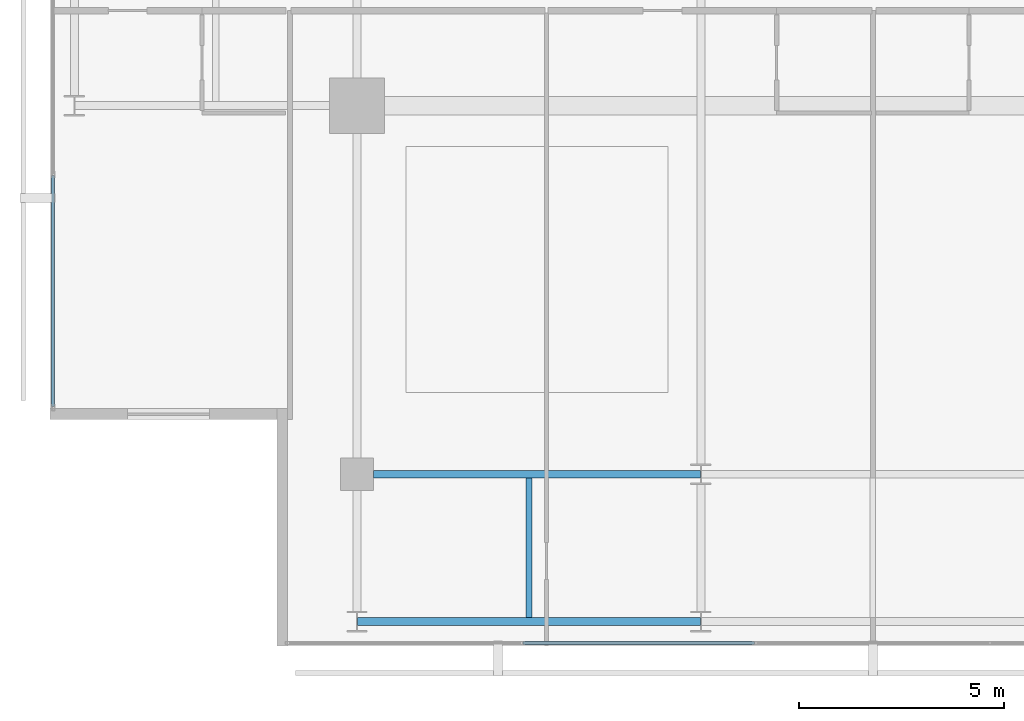
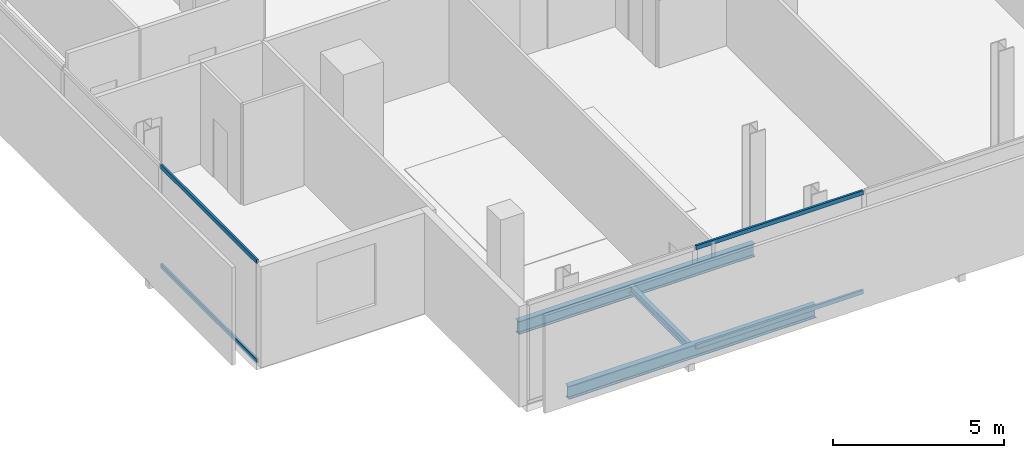
# One storey, part 3 of 23: 4 members, 3 beams, 2 elements without a shape of their own.
"""IFC4 building model written with IfcOpenShell, lengths in metres."""

from ifc_helpers import new_model, si_unit, direction, frame, origin, origin_2d, place, context, subcontext, project, spatial, hollow_rectangle, i_section, extrude, material, layer, layer_set, material_profile, profile_set, type_object, element, aggregate, save


model = new_model("IFC4")

# Units and contexts
model_context = context("Model", 3, precision=1e-05, world=origin(), true_north=direction((0.0, 1.0)))
body_context = subcontext(model_context, "Body", "Model", "MODEL_VIEW")
ifc_project = project(units=[si_unit("LENGTHUNIT", "METRE"), si_unit("AREAUNIT", "SQUARE_METRE"), si_unit("VOLUMEUNIT", "CUBIC_METRE"), si_unit("PLANEANGLEUNIT", "RADIAN"), si_unit("MASSUNIT", "GRAM", prefix="KILO")], contexts=[model_context])

# Site, building, storey
site_placement = place(None, origin())
site = spatial("IfcSite", under=ifc_project, at=site_placement, CompositionType="ELEMENT")
building_placement = place(site_placement, origin())
building = spatial("IfcBuilding", under=site, at=building_placement, Name="Maruvema Waterfront Hotel and Observation Tower", CompositionType="ELEMENT")
storey_placement = place(building_placement, frame((0.0, 0.0, 341.25)))
storey = spatial("IfcBuildingStorey", under=building, at=storey_placement, Name="L84", CompositionType="ELEMENT", Elevation=341.25)

# Curtain wall, members
ifc_material_1 = material(Name="Anodised bronze aluminium and solar-control low-E IGU", Category="aluminium")
ifc_layer = layer(ifc_material_1, 0.159912109375, Name="Zone 4 Sky Residence Inner Curtain Wall System CW-05")
ifc_layer_set = layer_set([ifc_layer], Name="Anodised bronze aluminium and solar-control low-E IGU")
curtain_wall_type = type_object("IfcCurtainWallType", Name="Zone 4 Sky Residence Inner Curtain Wall System CW-05", PredefinedType="USERDEFINED", material=ifc_layer_set)
curtain_wall_1_placement = place(storey_placement, origin())
curtain_wall_1 = element("IfcCurtainWall", 1, at=curtain_wall_1_placement, inside=storey, type_object=curtain_wall_type, Name="L84 Curtain Wall CW-L84-S", ObjectType="UNITISED CURTAIN WALL", PredefinedType="USERDEFINED")
ifc_material_2 = material(Name="Anodised architectural bronze aluminium", Category="aluminium")
ifc_material_profile_1 = material_profile(ifc_material_2, hollow_rectangle(XDim=0.070068359375, YDim=0.14990234375, WallThickness=0.00390625, at=origin_2d()), Name="ALU-T70x150")
ifc_profile_set_1 = profile_set([ifc_material_profile_1], Name="Anodised architectural bronze aluminium")
member_type = type_object("IfcMemberType", Name="Curtain Wall Horizontal Transom ALU-T70x150", PredefinedType="USERDEFINED", material=ifc_profile_set_1)
member_1_placement = place(storey_placement, frame((29.25, 13.8798828125, 0.030029296875), z_axis=(1.0, 0.0, 0.0), x_axis=(0.0, 1.0, 0.0)))
member_1 = element("IfcMember", 2, at=member_1_placement, type_object=member_type, Name="CW-05 transom 2.1", ObjectType="TRANSOM", PredefinedType="USERDEFINED", context=body_context, shape_type="SweptSolid", body=[
    extrude(hollow_rectangle(XDim=0.070068359375, YDim=0.14990234375, WallThickness=0.00390625, at=origin_2d()), origin(), (0.0, 0.0, 1.0), 5.659912109375),
])
member_2_placement = place(storey_placement, frame((29.25, 13.8798828125, 3.580078125), z_axis=(1.0, 0.0, 0.0), x_axis=(0.0, 1.0, 0.0)))
member_2 = element("IfcMember", 3, at=member_2_placement, type_object=member_type, Name="CW-05 transom 2.2", ObjectType="TRANSOM", PredefinedType="USERDEFINED", context=body_context, shape_type="SweptSolid", body=[
    extrude(hollow_rectangle(XDim=0.070068359375, YDim=0.14990234375, WallThickness=0.00390625, at=origin_2d()), origin(), (0.0, 0.0, 1.0), 5.659912109375),
])
aggregate(curtain_wall_1, [member_1, member_2])

curtain_wall_2_placement = place(storey_placement, origin())
curtain_wall_2 = element("IfcCurtainWall", 4, at=curtain_wall_2_placement, inside=storey, type_object=curtain_wall_type, Name="L84 Curtain Wall CW-L84-W", ObjectType="UNITISED CURTAIN WALL", PredefinedType="USERDEFINED")
member_3_placement = place(storey_placement, frame((17.780029296875, 25.2900390625, 0.030029296875), z_axis=(0.0, -1.0, 0.0), x_axis=(1.0, 0.0, 0.0)))
member_3 = element("IfcMember", 5, at=member_3_placement, type_object=member_type, Name="CW-05 transom 5.1", ObjectType="TRANSOM", PredefinedType="USERDEFINED", context=body_context, shape_type="SweptSolid", body=[
    extrude(hollow_rectangle(XDim=0.070068359375, YDim=0.14990234375, WallThickness=0.00390625, at=origin_2d()), origin(), (0.0, 0.0, 1.0), 5.630126953125),
])
member_4_placement = place(storey_placement, frame((17.780029296875, 25.2900390625, 3.580078125), z_axis=(0.0, -1.0, 0.0), x_axis=(1.0, 0.0, 0.0)))
member_4 = element("IfcMember", 6, at=member_4_placement, type_object=member_type, Name="CW-05 transom 5.2", ObjectType="TRANSOM", PredefinedType="USERDEFINED", context=body_context, shape_type="SweptSolid", body=[
    extrude(hollow_rectangle(XDim=0.070068359375, YDim=0.14990234375, WallThickness=0.00390625, at=origin_2d()), origin(), (0.0, 0.0, 1.0), 5.630126953125),
])
aggregate(curtain_wall_2, [member_3, member_4])

# Beams
ifc_material_3 = material(Name="Steel ASTM A572 Grade 50", Category="steel")
ifc_material_profile_2 = material_profile(ifc_material_3, i_section(OverallWidth=0.194091796875, OverallDepth=0.468994140625, WebThickness=0.0126953125, FlangeThickness=0.0205078125, FilletRadius=0.014892578125, at=origin_2d()), Name="W460x106.0")
ifc_profile_set_2 = profile_set([ifc_material_profile_2], Name="Steel ASTM A572 Grade 50")
beam_type_1 = type_object("IfcBeamType", Name="Primary Floor Girder W460x106.0", PredefinedType="BEAM", material=ifc_profile_set_2)
beam_1_placement = place(storey_placement, frame((25.2109375, 14.39990234375, -0.474609375), z_axis=(1.0, 0.0, 0.0), x_axis=(0.0, 1.0, 0.0)))
element("IfcBeam", 7, at=beam_1_placement, inside=storey, type_object=beam_type_1, Name="L84 Floor Girder EW-01", PredefinedType="BEAM", context=body_context, shape_type="SweptSolid", body=[
    extrude(i_section(OverallWidth=0.194091796875, OverallDepth=0.468994140625, WebThickness=0.0126953125, FlangeThickness=0.0205078125, FilletRadius=0.014892578125, at=origin_2d()), origin(), (0.0, 0.0, 1.0), 8.378173828125),
])
beam_2_placement = place(storey_placement, frame((25.60009765625, 18.0, -0.474609375), z_axis=(1.0, 0.0, 0.0), x_axis=(0.0, 1.0, 0.0)))
element("IfcBeam", 8, at=beam_2_placement, inside=storey, type_object=beam_type_1, Name="L84 Floor Girder EW-04", PredefinedType="BEAM", context=body_context, shape_type="SweptSolid", body=[
    extrude(i_section(OverallWidth=0.194091796875, OverallDepth=0.468994140625, WebThickness=0.0126953125, FlangeThickness=0.0205078125, FilletRadius=0.014892578125, at=origin_2d()), origin(), (0.0, 0.0, 1.0), 7.989013671875),
])
ifc_material_4 = material(Name="Steel ASTM A572 Grade 50", Category="steel")
ifc_material_profile_3 = material_profile(ifc_material_4, i_section(OverallWidth=0.14599609375, OverallDepth=0.258056640625, WebThickness=0.006103515625, FlangeThickness=0.009033203125, FilletRadius=0.012939453125, at=origin_2d()), Name="W250x32.7")
ifc_profile_set_3 = profile_set([ifc_material_profile_3], Name="Steel ASTM A572 Grade 50")
beam_type_2 = type_object("IfcBeamType", Name="Secondary Floor Joist W250x32.7", PredefinedType="JOIST", material=ifc_profile_set_3)
beam_3_placement = place(storey_placement, frame((29.39990234375, 14.4970703125, -0.368896484375), z_axis=(0.0, 1.0, 0.0), x_axis=(-1.0, 0.0, 0.0)))
element("IfcBeam", 9, at=beam_3_placement, inside=storey, type_object=beam_type_2, Name="L84 Secondary Floor Joist JS-03", PredefinedType="JOIST", context=body_context, shape_type="SweptSolid", body=[
    extrude(i_section(OverallWidth=0.14599609375, OverallDepth=0.258056640625, WebThickness=0.006103515625, FlangeThickness=0.009033203125, FilletRadius=0.012939453125, at=origin_2d()), origin(), (0.0, 0.0, 1.0), 3.406005859375),
])

save(model, "model.ifc")
